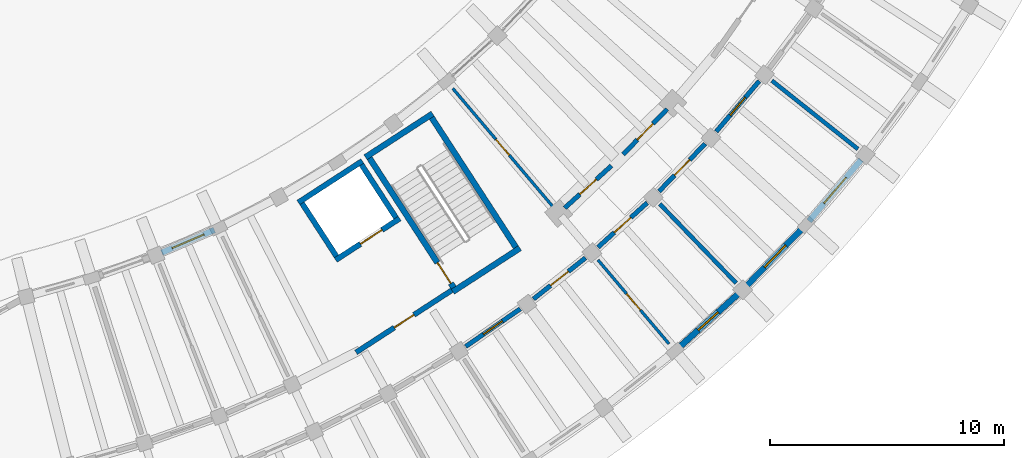
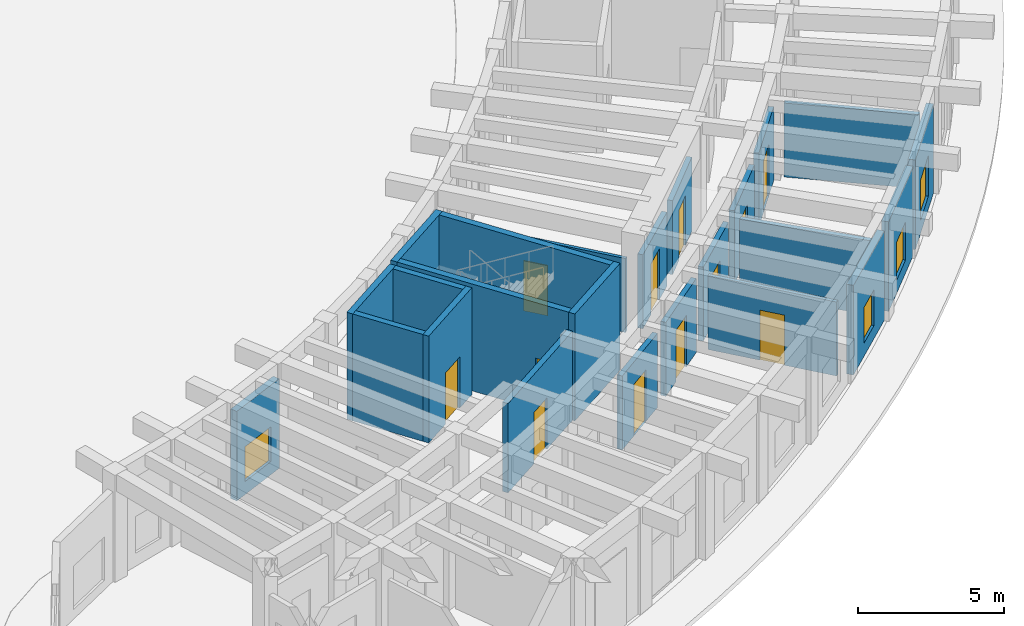
# One storey, part 102 of 132: 24 walls, 12 doors, 4 windows, 16 openings.
"""IFC4 building model written with IfcOpenShell, lengths in metres."""

from ifc_helpers import new_model, si_unit, direction, frame, frame_2d, origin, place, context, subcontext, project, spatial, rectangle, extrude, material, layer, layer_set, type_object, element, fill, save


model = new_model("IFC4")

# Units and contexts
model_context = context("Model", 3, precision=1e-05, world=origin(), true_north=direction((0.0, 1.0)))
body_context = subcontext(model_context, "Body", "Model", "MODEL_VIEW")
ifc_project = project(units=[si_unit("LENGTHUNIT", "METRE"), si_unit("AREAUNIT", "SQUARE_METRE"), si_unit("VOLUMEUNIT", "CUBIC_METRE"), si_unit("PLANEANGLEUNIT", "RADIAN"), si_unit("MASSUNIT", "GRAM", prefix="KILO")], contexts=[model_context])

# Site, building, storey
site_placement = place(None, origin())
site = spatial("IfcSite", under=ifc_project, at=site_placement, CompositionType="ELEMENT")
building_placement = place(site_placement, origin())
building = spatial("IfcBuilding", under=site, at=building_placement, Name="Tanwirah Colonnade Gardens", CompositionType="ELEMENT")
storey_placement = place(building_placement, origin())
storey = spatial("IfcBuildingStorey", under=building, at=storey_placement, Name="L00", CompositionType="ELEMENT", Elevation=0.0)

# Wall, opening, window
ifc_material_1 = material(Name="Limestone architectural precast concrete C40/50", Category="masonry")
ifc_layer_1 = layer(ifc_material_1, 0.260009765625)
ifc_layer_set_1 = layer_set([ifc_layer_1], Name="Limestone architectural precast concrete C40/50")
wall_type_1 = type_object("IfcWallType", Name="EW-PC260", PredefinedType="SOLIDWALL", material=ifc_layer_set_1)
wall_1_placement = place(storey_placement, frame((137.54345703125, 23.251953125, 0.0), z_axis=(0.0, 0.0, 1.0), x_axis=(0.917908073111, 0.396793106439, 0.0)))
wall_1 = element("IfcWall", 1, at=wall_1_placement, inside=storey, type_object=wall_type_1, Name="Block D L00 IN Precast Facade Wall 2", PredefinedType="SOLIDWALL", context=body_context, shape_type="SweptSolid", body=[
    extrude(rectangle(XDim=2.44873046875, YDim=0.260009765625, at=frame_2d((1.224365234375, 0.0))), origin(), (0.0, 0.0, 1.0), 3.7548828125),
])
opening_1_placement = place(wall_1_placement, frame((0.484375, 0.0, 0.550048828125)))
opening_1 = element("IfcOpeningElement", 2, at=opening_1_placement, cuts=wall_1, Name="Opening WIN-U09", PredefinedType="OPENING", context=body_context, shape_type="SweptSolid", body=[
    extrude(rectangle(XDim=1.47998046875, YDim=1.4599609375, at=frame_2d((0.739990234375, 0.72998046875))), frame((0.0, 0.139892578125, 0.0), z_axis=(0.0, -1.0, 0.0), x_axis=(1.0, 0.0, 0.0)), (0.0, 0.0, 1.0), 0.280029296875),
])
ifc_material_2 = material(Name="Thermally broken bronze aluminium and solar low-E double glazing", Category="aluminium")
window_type_1 = type_object("IfcWindowType", Name="WIN-U09", PartitioningType="DOUBLE_PANEL_VERTICAL", PredefinedType="WINDOW", material=ifc_material_2)
window_1_placement = place(opening_1_placement, origin())
window_1 = element("IfcWindow", 3, at=window_1_placement, inside=storey, type_object=window_type_1, Name="Facade window D-L00-IN-02", OverallHeight=1.4599609375, OverallWidth=1.47998046875, PartitioningType="SINGLE_PANEL", PredefinedType="WINDOW", context=body_context, shape_type="SweptSolid", body=[
    extrude(rectangle(XDim=1.47998046875, YDim=1.4599609375, at=frame_2d((0.739990234375, 0.72998046875))), frame((0.0, 0.030029296875, 0.0), z_axis=(0.0, -1.0, 0.0), x_axis=(1.0, 0.0, 0.0)), (0.0, 0.0, 1.0), 0.06005859375),
])
fill(opening_1, window_1)

wall_2_placement = place(storey_placement, frame((159.61376953125, 19.173583984375, 0.0), z_axis=(0.0, 0.0, 1.0), x_axis=(0.741699000924, 0.670732876806, 0.0)))
wall_2 = element("IfcWall", 4, at=wall_2_placement, inside=storey, type_object=wall_type_1, Name="Block D L00 OUT Precast Facade Wall 7", PredefinedType="SOLIDWALL", context=body_context, shape_type="SweptSolid", body=[
    extrude(rectangle(XDim=3.436767578125, YDim=0.260009765625, at=frame_2d((1.71826171875, 0.0))), origin(), (0.0, 0.0, 1.0), 3.7548828125),
])
opening_2_placement = place(wall_2_placement, frame((1.143310546875, 0.0, 0.550048828125)))
opening_2 = element("IfcOpeningElement", 5, at=opening_2_placement, cuts=wall_2, Name="Opening WIN-T01", PredefinedType="OPENING", context=body_context, shape_type="SweptSolid", body=[
    extrude(rectangle(XDim=1.14990234375, YDim=1.5, at=frame_2d((0.574951171875, 0.75))), frame((0.0, 0.139892578125, 0.0), z_axis=(0.0, -1.0, 0.0), x_axis=(1.0, 0.0, 0.0)), (0.0, 0.0, 1.0), 0.280029296875),
])
window_type_2 = type_object("IfcWindowType", Name="WIN-T01", PartitioningType="SINGLE_PANEL", PredefinedType="WINDOW", material=ifc_material_2)
window_2_placement = place(opening_2_placement, origin())
window_2 = element("IfcWindow", 6, at=window_2_placement, inside=storey, type_object=window_type_2, Name="Facade window D-L00-OUT-07", OverallHeight=1.5, OverallWidth=1.14990234375, PartitioningType="SINGLE_PANEL", PredefinedType="WINDOW", context=body_context, shape_type="SweptSolid", body=[
    extrude(rectangle(XDim=1.14990234375, YDim=1.5, at=frame_2d((0.574951171875, 0.75))), frame((0.0, 0.030029296875, 0.0), z_axis=(0.0, -1.0, 0.0), x_axis=(1.0, 0.0, 0.0)), (0.0, 0.0, 1.0), 0.06005859375),
])
fill(opening_2, window_2)

wall_3_placement = place(storey_placement, frame((162.558349609375, 21.86083984375, 0.0), z_axis=(0.0, 0.0, 1.0), x_axis=(0.696226819082, 0.717821855609, 0.0)))
wall_3 = element("IfcWall", 7, at=wall_3_placement, inside=storey, type_object=wall_type_1, Name="Block D L00 OUT Precast Facade Wall 8", PredefinedType="SOLIDWALL", context=body_context, shape_type="SweptSolid", body=[
    extrude(rectangle(XDim=3.436767578125, YDim=0.260009765625, at=frame_2d((1.71826171875, 0.0))), origin(), (0.0, 0.0, 1.0), 3.7548828125),
])
opening_3_placement = place(wall_3_placement, frame((1.068359375, 0.0, 0.550048828125)))
opening_3 = element("IfcOpeningElement", 8, at=opening_3_placement, cuts=wall_3, Name="Opening WIN-T04", PredefinedType="OPENING", context=body_context, shape_type="SweptSolid", body=[
    extrude(rectangle(XDim=1.300048828125, YDim=1.60009765625, at=frame_2d((0.64990234375, 0.800048828125))), frame((0.0, 0.139892578125, 0.0), z_axis=(0.0, -1.0, 0.0), x_axis=(1.0, 0.0, 0.0)), (0.0, 0.0, 1.0), 0.280029296875),
])
window_type_3 = type_object("IfcWindowType", Name="WIN-T04", PartitioningType="DOUBLE_PANEL_VERTICAL", PredefinedType="WINDOW", material=ifc_material_2)
window_3_placement = place(opening_3_placement, origin())
window_3 = element("IfcWindow", 9, at=window_3_placement, inside=storey, type_object=window_type_3, Name="Facade window D-L00-OUT-08", OverallHeight=1.60009765625, OverallWidth=1.300048828125, PartitioningType="SINGLE_PANEL", PredefinedType="WINDOW", context=body_context, shape_type="SweptSolid", body=[
    extrude(rectangle(XDim=1.300048828125, YDim=1.60009765625, at=frame_2d((0.64990234375, 0.800048828125))), frame((0.0, 0.030029296875, 0.0), z_axis=(0.0, -1.0, 0.0), x_axis=(1.0, 0.0, 0.0)), (0.0, 0.0, 1.0), 0.06005859375),
])
fill(opening_3, window_3)

wall_4_placement = place(storey_placement, frame((165.199951171875, 24.6015625, 0.0), z_axis=(0.0, 0.0, 1.0), x_axis=(0.6477968765, 0.7618131049, 0.0)))
wall_4 = element("IfcWall", 10, at=wall_4_placement, inside=storey, type_object=wall_type_1, Name="Block D L00 OUT Precast Facade Wall 9", PredefinedType="SOLIDWALL", context=body_context, shape_type="SweptSolid", body=[
    extrude(rectangle(XDim=3.436767578125, YDim=0.260009765625, at=frame_2d((1.71826171875, 0.0))), origin(), (0.0, 0.0, 1.0), 3.7548828125),
])
opening_4_placement = place(wall_4_placement, frame((0.993408203125, 0.0, 0.550048828125)))
opening_4 = element("IfcOpeningElement", 11, at=opening_4_placement, cuts=wall_4, Name="Opening WIN-T07", PredefinedType="OPENING", context=body_context, shape_type="SweptSolid", body=[
    extrude(rectangle(XDim=1.449951171875, YDim=1.699951171875, at=frame_2d((0.72509765625, 0.85009765625))), frame((0.0, 0.139892578125, 0.0), z_axis=(0.0, -1.0, 0.0), x_axis=(1.0, 0.0, 0.0)), (0.0, 0.0, 1.0), 0.280029296875),
])
window_type_4 = type_object("IfcWindowType", Name="WIN-T07", PartitioningType="DOUBLE_PANEL_VERTICAL", PredefinedType="WINDOW", material=ifc_material_2)
window_4_placement = place(opening_4_placement, origin())
window_4 = element("IfcWindow", 12, at=window_4_placement, inside=storey, type_object=window_type_4, Name="Facade window D-L00-OUT-09", OverallHeight=1.699951171875, OverallWidth=1.449951171875, PartitioningType="SINGLE_PANEL", PredefinedType="WINDOW", context=body_context, shape_type="SweptSolid", body=[
    extrude(rectangle(XDim=1.449951171875, YDim=1.699951171875, at=frame_2d((0.72509765625, 0.85009765625))), frame((0.0, 0.030029296875, 0.0), z_axis=(0.0, -1.0, 0.0), x_axis=(1.0, 0.0, 0.0)), (0.0, 0.0, 1.0), 0.06005859375),
])
fill(opening_4, window_4)

# Wall, opening, door
ifc_material_3 = material(Name="Precast concrete C40/50", Category="concrete")
ifc_layer_2 = layer(ifc_material_3, 0.195068359375)
ifc_layer_set_2 = layer_set([ifc_layer_2], Name="Precast concrete C40/50")
wall_type_2 = type_object("IfcWallType", Name="IW-CORR195", PredefinedType="PARTITIONING", material=ifc_layer_set_2)
wall_5_placement = place(storey_placement, frame((150.527587890625, 19.24072265625, 0.0), z_axis=(0.0, 0.0, 1.0), x_axis=(0.822870075235, 0.568229565653, 0.0)))
wall_5 = element("IfcWall", 13, at=wall_5_placement, inside=storey, type_object=wall_type_2, Name="Block D L00 OUT Corridor Wall 5", PredefinedType="PARTITIONING", context=body_context, shape_type="SweptSolid", body=[
    extrude(rectangle(XDim=2.8369140625, YDim=0.195068359375, at=frame_2d((1.41845703125, 0.0))), origin(), (0.0, 0.0, 1.0), 3.10009765625),
])
opening_5_placement = place(wall_5_placement, frame((0.923583984375, 0.0, 0.0)))
opening_5 = element("IfcOpeningElement", 14, at=opening_5_placement, cuts=wall_5, Name="Opening L00-AD1662", PredefinedType="OPENING", context=body_context, shape_type="SweptSolid", body=[
    extrude(rectangle(XDim=0.989990234375, YDim=2.159912109375, at=frame_2d((0.4951171875, 1.080078125))), frame((0.0, 0.107421875, 0.0), z_axis=(0.0, -1.0, 0.0), x_axis=(1.0, 0.0, 0.0)), (0.0, 0.0, 1.0), 0.215087890625),
])
ifc_material_4 = material(Name="Solid oak fire-resisting apartment entrance door")
door_type_1 = type_object("IfcDoorType", Name="ID-FLT099", OperationType="NOTDEFINED", PredefinedType="DOOR", material=ifc_material_4)
door_1_placement = place(opening_5_placement, origin())
door_1 = element("IfcDoor", 15, at=door_1_placement, inside=storey, type_object=door_type_1, Name="Apartment corridor door L00-AD1662", OperationType="SINGLE_SWING_RIGHT", OverallHeight=2.159912109375, OverallWidth=0.989990234375, PredefinedType="DOOR", context=body_context, shape_type="SweptSolid", body=[
    extrude(rectangle(XDim=0.989990234375, YDim=2.159912109375, at=frame_2d((0.4951171875, 1.080078125))), frame((0.0, 0.02490234375, 0.0), z_axis=(0.0, -1.0, 0.0), x_axis=(1.0, 0.0, 0.0)), (0.0, 0.0, 1.0), 0.050048828125),
])
fill(opening_5, door_1)

wall_6_placement = place(storey_placement, frame((153.424560546875, 21.268798828125, 0.0), z_axis=(0.0, 0.0, 1.0), x_axis=(0.783965548427, 0.620804332201, 0.0)))
wall_6 = element("IfcWall", 16, at=wall_6_placement, inside=storey, type_object=wall_type_2, Name="Block D L00 OUT Corridor Wall 6", PredefinedType="PARTITIONING", context=body_context, shape_type="SweptSolid", body=[
    extrude(rectangle(XDim=2.8369140625, YDim=0.195068359375, at=frame_2d((1.41845703125, 0.0))), origin(), (0.0, 0.0, 1.0), 3.10009765625),
])
opening_6_placement = place(wall_6_placement, frame((0.93359375, 0.0, 0.0)))
opening_6 = element("IfcOpeningElement", 17, at=opening_6_placement, cuts=wall_6, Name="Opening L00-AD1663", PredefinedType="OPENING", context=body_context, shape_type="SweptSolid", body=[
    extrude(rectangle(XDim=0.969970703125, YDim=2.14990234375, at=frame_2d((0.48486328125, 1.074951171875))), frame((0.0, 0.107421875, 0.0), z_axis=(0.0, -1.0, 0.0), x_axis=(1.0, 0.0, 0.0)), (0.0, 0.0, 1.0), 0.215087890625),
])
door_type_2 = type_object("IfcDoorType", Name="ID-FLT097", OperationType="NOTDEFINED", PredefinedType="DOOR", material=ifc_material_4)
door_2_placement = place(opening_6_placement, origin())
door_2 = element("IfcDoor", 18, at=door_2_placement, inside=storey, type_object=door_type_2, Name="Apartment corridor door L00-AD1663", OperationType="SINGLE_SWING_LEFT", OverallHeight=2.14990234375, OverallWidth=0.969970703125, PredefinedType="DOOR", context=body_context, shape_type="SweptSolid", body=[
    extrude(rectangle(XDim=0.969970703125, YDim=2.14990234375, at=frame_2d((0.48486328125, 1.074951171875))), frame((0.0, 0.02490234375, 0.0), z_axis=(0.0, -1.0, 0.0), x_axis=(1.0, 0.0, 0.0)), (0.0, 0.0, 1.0), 0.050048828125),
])
fill(opening_6, door_2)

wall_7_placement = place(storey_placement, frame((156.1826171875, 23.48193359375, 0.0), z_axis=(0.0, 0.0, 1.0), x_axis=(0.741631592147, 0.670807410163, 0.0)))
wall_7 = element("IfcWall", 19, at=wall_7_placement, inside=storey, type_object=wall_type_2, Name="Block D L00 OUT Corridor Wall 7", PredefinedType="PARTITIONING", context=body_context, shape_type="SweptSolid", body=[
    extrude(rectangle(XDim=2.8369140625, YDim=0.195068359375, at=frame_2d((1.41845703125, 0.0))), origin(), (0.0, 0.0, 1.0), 3.10009765625),
])
opening_7_placement = place(wall_7_placement, frame((0.943603515625, 0.0, 0.0)))
opening_7 = element("IfcOpeningElement", 20, at=opening_7_placement, cuts=wall_7, Name="Opening L00-AD1666", PredefinedType="OPENING", context=body_context, shape_type="SweptSolid", body=[
    extrude(rectangle(XDim=0.949951171875, YDim=2.1298828125, at=frame_2d((0.47509765625, 1.06494140625))), frame((0.0, 0.107421875, 0.0), z_axis=(0.0, -1.0, 0.0), x_axis=(1.0, 0.0, 0.0)), (0.0, 0.0, 1.0), 0.215087890625),
])
door_type_3 = type_object("IfcDoorType", Name="ID-FLT095", OperationType="NOTDEFINED", PredefinedType="DOOR", material=ifc_material_4)
door_3_placement = place(opening_7_placement, origin())
door_3 = element("IfcDoor", 21, at=door_3_placement, inside=storey, type_object=door_type_3, Name="Apartment corridor door L00-AD1666", OperationType="SINGLE_SWING_RIGHT", OverallHeight=2.1298828125, OverallWidth=0.949951171875, PredefinedType="DOOR", context=body_context, shape_type="SweptSolid", body=[
    extrude(rectangle(XDim=0.949951171875, YDim=2.1298828125, at=frame_2d((0.47509765625, 1.06494140625))), frame((0.0, 0.02490234375, 0.0), z_axis=(0.0, -1.0, 0.0), x_axis=(1.0, 0.0, 0.0)), (0.0, 0.0, 1.0), 0.050048828125),
])
fill(opening_7, door_3)

wall_8_placement = place(storey_placement, frame((154.76123046875, 25.1611328125, 0.0), z_axis=(0.0, 0.0, 1.0), x_axis=(0.74166462946, 0.670770882945, 0.0)))
wall_8 = element("IfcWall", 22, at=wall_8_placement, inside=storey, type_object=wall_type_2, Name="Block D L00 IN Corridor Wall 7", PredefinedType="PARTITIONING", context=body_context, shape_type="SweptSolid", body=[
    extrude(rectangle(XDim=2.693115234375, YDim=0.195068359375, at=frame_2d((1.3466796875, 0.0))), origin(), (0.0, 0.0, 1.0), 3.10009765625),
])
opening_8_placement = place(wall_8_placement, frame((0.87158203125, 0.0, 0.0)))
opening_8 = element("IfcOpeningElement", 23, at=opening_8_placement, cuts=wall_8, Name="Opening L00-AD1667", PredefinedType="OPENING", context=body_context, shape_type="SweptSolid", body=[
    extrude(rectangle(XDim=0.949951171875, YDim=2.1298828125, at=frame_2d((0.47509765625, 1.06494140625))), frame((0.0, 0.107421875, 0.0), z_axis=(0.0, -1.0, 0.0), x_axis=(1.0, 0.0, 0.0)), (0.0, 0.0, 1.0), 0.215087890625),
])
door_4_placement = place(opening_8_placement, origin())
door_4 = element("IfcDoor", 24, at=door_4_placement, inside=storey, type_object=door_type_3, Name="Apartment corridor door L00-AD1667", OperationType="SINGLE_SWING_LEFT", OverallHeight=2.1298828125, OverallWidth=0.949951171875, PredefinedType="DOOR", context=body_context, shape_type="SweptSolid", body=[
    extrude(rectangle(XDim=0.949951171875, YDim=2.1298828125, at=frame_2d((0.47509765625, 1.06494140625))), frame((0.0, 0.02490234375, 0.0), z_axis=(0.0, -1.0, 0.0), x_axis=(1.0, 0.0, 0.0)), (0.0, 0.0, 1.0), 0.050048828125),
])
fill(opening_8, door_4)

wall_9_placement = place(storey_placement, frame((158.7900390625, 25.870849609375, 0.0), z_axis=(0.0, 0.0, 1.0), x_axis=(0.696223786753, 0.717824796701, 0.0)))
wall_9 = element("IfcWall", 25, at=wall_9_placement, inside=storey, type_object=wall_type_2, Name="Block D L00 OUT Corridor Wall 8", PredefinedType="PARTITIONING", context=body_context, shape_type="SweptSolid", body=[
    extrude(rectangle(XDim=2.8369140625, YDim=0.195068359375, at=frame_2d((1.41845703125, 0.0))), origin(), (0.0, 0.0, 1.0), 3.10009765625),
])
opening_9_placement = place(wall_9_placement, frame((0.95361328125, 0.0, 0.0)))
opening_9 = element("IfcOpeningElement", 26, at=opening_9_placement, cuts=wall_9, Name="Opening L00-AD1668", PredefinedType="OPENING", context=body_context, shape_type="SweptSolid", body=[
    extrude(rectangle(XDim=0.929931640625, YDim=2.1201171875, at=frame_2d((0.46484375, 1.06005859375))), frame((0.0, 0.107421875, 0.0), z_axis=(0.0, -1.0, 0.0), x_axis=(1.0, 0.0, 0.0)), (0.0, 0.0, 1.0), 0.215087890625),
])
door_type_4 = type_object("IfcDoorType", Name="ID-FLT093", OperationType="NOTDEFINED", PredefinedType="DOOR", material=ifc_material_4)
door_5_placement = place(opening_9_placement, origin())
door_5 = element("IfcDoor", 27, at=door_5_placement, inside=storey, type_object=door_type_4, Name="Apartment corridor door L00-AD1668", OperationType="SINGLE_SWING_LEFT", OverallHeight=2.1201171875, OverallWidth=0.929931640625, PredefinedType="DOOR", context=body_context, shape_type="SweptSolid", body=[
    extrude(rectangle(XDim=0.929931640625, YDim=2.1201171875, at=frame_2d((0.46484375, 1.06005859375))), frame((0.0, 0.02490234375, 0.0), z_axis=(0.0, -1.0, 0.0), x_axis=(1.0, 0.0, 0.0)), (0.0, 0.0, 1.0), 0.050048828125),
])
fill(opening_9, door_5)

wall_10_placement = place(storey_placement, frame((157.26171875, 27.453369140625, 0.0), z_axis=(0.0, 0.0, 1.0), x_axis=(0.696236443412, 0.717812520694, 0.0)))
wall_10 = element("IfcWall", 28, at=wall_10_placement, inside=storey, type_object=wall_type_2, Name="Block D L00 IN Corridor Wall 8", PredefinedType="PARTITIONING", context=body_context, shape_type="SweptSolid", body=[
    extrude(rectangle(XDim=2.693115234375, YDim=0.195068359375, at=frame_2d((1.3466796875, 0.0))), origin(), (0.0, 0.0, 1.0), 3.10009765625),
])
opening_10_placement = place(wall_10_placement, frame((0.866455078125, 0.0, 0.0)))
opening_10 = element("IfcOpeningElement", 29, at=opening_10_placement, cuts=wall_10, Name="Opening L00-AD1669", PredefinedType="OPENING", context=body_context, shape_type="SweptSolid", body=[
    extrude(rectangle(XDim=0.9599609375, YDim=2.10009765625, at=frame_2d((0.47998046875, 1.050048828125))), frame((0.0, 0.107421875, 0.0), z_axis=(0.0, -1.0, 0.0), x_axis=(1.0, 0.0, 0.0)), (0.0, 0.0, 1.0), 0.215087890625),
])
ifc_material_5 = material(Name="Accessible toilet outward-opening door")
door_type_5 = type_object("IfcDoorType", Name="ID-AWC096", OperationType="NOTDEFINED", PredefinedType="DOOR", material=ifc_material_5)
door_6_placement = place(opening_10_placement, origin())
door_6 = element("IfcDoor", 30, at=door_6_placement, inside=storey, type_object=door_type_5, Name="Apartment corridor door L00-AD1669", OperationType="SINGLE_SWING_RIGHT", OverallHeight=2.10009765625, OverallWidth=0.9599609375, PredefinedType="DOOR", context=body_context, shape_type="SweptSolid", body=[
    extrude(rectangle(XDim=0.9599609375, YDim=2.10009765625, at=frame_2d((0.47998046875, 1.050048828125))), frame((0.0, 0.02490234375, 0.0), z_axis=(0.0, -1.0, 0.0), x_axis=(1.0, 0.0, 0.0)), (0.0, 0.0, 1.0), 0.050048828125),
])
fill(opening_10, door_6)

wall_11_placement = place(storey_placement, frame((161.235595703125, 28.42529296875, 0.0), z_axis=(0.0, 0.0, 1.0), x_axis=(0.64778830669, 0.761820392032, 0.0)))
wall_11 = element("IfcWall", 31, at=wall_11_placement, inside=storey, type_object=wall_type_2, Name="Block D L00 OUT Corridor Wall 9", PredefinedType="PARTITIONING", context=body_context, shape_type="SweptSolid", body=[
    extrude(rectangle(XDim=2.8369140625, YDim=0.195068359375, at=frame_2d((1.41845703125, 0.0))), origin(), (0.0, 0.0, 1.0), 3.10009765625),
])
opening_11_placement = place(wall_11_placement, frame((0.923583984375, 0.0, 0.0)))
opening_11 = element("IfcOpeningElement", 32, at=opening_11_placement, cuts=wall_11, Name="Opening L00-AD1670", PredefinedType="OPENING", context=body_context, shape_type="SweptSolid", body=[
    extrude(rectangle(XDim=0.989990234375, YDim=2.159912109375, at=frame_2d((0.4951171875, 1.080078125))), frame((0.0, 0.107421875, 0.0), z_axis=(0.0, -1.0, 0.0), x_axis=(1.0, 0.0, 0.0)), (0.0, 0.0, 1.0), 0.215087890625),
])
door_7_placement = place(opening_11_placement, origin())
door_7 = element("IfcDoor", 33, at=door_7_placement, inside=storey, type_object=door_type_1, Name="Apartment corridor door L00-AD1670", OperationType="SINGLE_SWING_RIGHT", OverallHeight=2.159912109375, OverallWidth=0.989990234375, PredefinedType="DOOR", context=body_context, shape_type="SweptSolid", body=[
    extrude(rectangle(XDim=0.989990234375, YDim=2.159912109375, at=frame_2d((0.4951171875, 1.080078125))), frame((0.0, 0.02490234375, 0.0), z_axis=(0.0, -1.0, 0.0), x_axis=(1.0, 0.0, 0.0)), (0.0, 0.0, 1.0), 0.050048828125),
])
fill(opening_11, door_7)

# Walls
ifc_layer_3 = layer(ifc_material_3, 0.175048828125)
ifc_layer_set_3 = layer_set([ifc_layer_3], Name="Precast concrete C40/50")
wall_type_3 = type_object("IfcWallType", Name="IW-DEM175", PredefinedType="PARTITIONING", material=ifc_layer_set_3)
for number, where, z_axis, x_axis, name in (
    (34, (158.82421875, 25.33203125, 0.0), (0.0, 0.0, 1.0), (0.69466218314, -0.719336118456, 0.0), "Block D L00 Radial Partition 7"),
    (35, (163.613037109375, 30.60400390625, 0.0), (0.0, 0.0, 1.0), (0.782609106384, -0.622513442911, 0.0), "Block D L00 Radial Partition 9"),
):
    element("IfcWall", number, at=place(storey_placement, frame(where, z_axis=z_axis, x_axis=x_axis)), inside=storey, type_object=wall_type_3, Name=name, PredefinedType="PARTITIONING", context=body_context, shape_type="SweptSolid", body=[
        extrude(rectangle(XDim=4.699951171875, YDim=0.175048828125, at=frame_2d((2.35009765625, 0.0))), origin(), (0.0, 0.0, 1.0), 3.10009765625),
    ])

# Wall, opening, door
ifc_material_6 = material(Name="Autoclaved aerated masonry blockwork", Category="masonry")
ifc_layer_4 = layer(ifc_material_6, 0.219970703125)
ifc_layer_set_4 = layer_set([ifc_layer_4], Name="Autoclaved aerated masonry blockwork")
wall_type_4 = type_object("IfcWallType", Name="IW-FFL220", PredefinedType="PARTITIONING", material=ifc_layer_set_4)
wall_12_placement = place(storey_placement, frame((149.95458984375, 21.658203125, 0.0), z_axis=(0.0, 0.0, 1.0), x_axis=(-0.838681446513, -0.544622283124, 0.0)))
wall_12 = element("IfcWall", 36, at=wall_12_placement, inside=storey, type_object=wall_type_4, Name="CORE-D1 L00 Enclosed Lobby Fire Wall", PredefinedType="PARTITIONING", context=body_context, shape_type="SweptSolid", body=[
    extrude(rectangle(XDim=4.900146484375, YDim=0.219970703125, at=frame_2d((2.4501953125, 0.0))), origin(), (0.0, 0.0, 1.0), 3.739990234375),
])
opening_12_placement = place(wall_12_placement, frame((1.949951171875, 0.0, 0.0)))
opening_12 = element("IfcOpeningElement", 37, at=opening_12_placement, cuts=wall_12, Name="Opening L00-LD180", PredefinedType="OPENING", context=body_context, shape_type="SweptSolid", body=[
    extrude(rectangle(XDim=1.0, YDim=2.14990234375, at=frame_2d((0.5, 1.074951171875))), frame((0.0, 0.119873046875, 0.0), z_axis=(0.0, -1.0, 0.0), x_axis=(1.0, 0.0, 0.0)), (0.0, 0.0, 1.0), 0.239990234375),
])
ifc_material_7 = material(Name="Acoustic fire-resisting lobby door")
door_type_6 = type_object("IfcDoorType", Name="ID-FFL100", OperationType="NOTDEFINED", PredefinedType="DOOR", material=ifc_material_7)
door_8_placement = place(opening_12_placement, origin())
door_8 = element("IfcDoor", 38, at=door_8_placement, inside=storey, type_object=door_type_6, Name="CORE-D1 L00 Lobby Fire Door L00-LD180", OperationType="SINGLE_SWING_LEFT", OverallHeight=2.14990234375, OverallWidth=1.0, PredefinedType="DOOR", context=body_context, shape_type="SweptSolid", body=[
    extrude(rectangle(XDim=1.0, YDim=2.14990234375, at=frame_2d((0.5, 1.074951171875))), frame((0.0, 0.02490234375, 0.0), z_axis=(0.0, -1.0, 0.0), x_axis=(1.0, 0.0, 0.0)), (0.0, 0.0, 1.0), 0.050048828125),
])
fill(opening_12, door_8)

ifc_material_8 = material(Name="Moisture-resistant gypsum stud partition")
ifc_layer_5 = layer(ifc_material_8, 0.125)
ifc_layer_set_5 = layer_set([ifc_layer_5], Name="Moisture-resistant gypsum stud partition")
wall_type_5 = type_object("IfcWallType", Name="IW-INT125", PredefinedType="PARTITIONING", material=ifc_layer_set_5)
wall_13_placement = place(storey_placement, frame((156.181396484375, 22.94189453125, 0.0), z_axis=(0.0, 0.0, 1.0), x_axis=(0.646137818229, -0.76322075434, 0.0)))
wall_13 = element("IfcWall", 39, at=wall_13_placement, inside=storey, type_object=wall_type_5, Name="Block D L00 Radial Partition 6", PredefinedType="PARTITIONING", context=body_context, shape_type="SweptSolid", body=[
    extrude(rectangle(XDim=4.699951171875, YDim=0.125, at=frame_2d((2.35009765625, 0.0))), origin(), (0.0, 0.0, 1.0), 3.10009765625),
])
opening_13_placement = place(wall_13_placement, frame((1.89501953125, 0.0, 0.0)))
opening_13 = element("IfcOpeningElement", 40, at=opening_13_placement, cuts=wall_13, Name="Opening L00-RD1664", PredefinedType="OPENING", context=body_context, shape_type="SweptSolid", body=[
    extrude(rectangle(XDim=0.909912109375, YDim=2.10009765625, at=frame_2d((0.455078125, 1.050048828125))), frame((0.0, 0.072509765625, 0.0), z_axis=(0.0, -1.0, 0.0), x_axis=(1.0, 0.0, 0.0)), (0.0, 0.0, 1.0), 0.14501953125),
])
ifc_material_9 = material(Name="Painted hardwood internal room door", Category="wood")
door_type_7 = type_object("IfcDoorType", Name="ID-RM091", OperationType="NOTDEFINED", PredefinedType="DOOR", material=ifc_material_9)
door_9_placement = place(opening_13_placement, origin())
door_9 = element("IfcDoor", 41, at=door_9_placement, inside=storey, type_object=door_type_7, Name="Internal apartment door L00-RD1664", OperationType="SINGLE_SWING_LEFT", OverallHeight=2.10009765625, OverallWidth=0.909912109375, PredefinedType="DOOR", context=body_context, shape_type="SweptSolid", body=[
    extrude(rectangle(XDim=0.909912109375, YDim=2.10009765625, at=frame_2d((0.455078125, 1.050048828125))), frame((0.0, 0.02490234375, 0.0), z_axis=(0.0, -1.0, 0.0), x_axis=(1.0, 0.0, 0.0)), (0.0, 0.0, 1.0), 0.050048828125),
])
fill(opening_13, door_9)

wall_14_placement = place(storey_placement, frame((149.978759765625, 30.26904296875, 0.0), z_axis=(0.0, 0.0, 1.0), x_axis=(0.646121311019, -0.763234728932, 0.0)))
wall_14 = element("IfcWall", 42, at=wall_14_placement, inside=storey, type_object=wall_type_5, Name="Block D L00 Inner Radial Partition 6", PredefinedType="PARTITIONING", context=body_context, shape_type="SweptSolid", body=[
    extrude(rectangle(XDim=6.60009765625, YDim=0.125, at=frame_2d((3.300048828125, 0.0))), origin(), (0.0, 0.0, 1.0), 3.10009765625),
])
opening_14_placement = place(wall_14_placement, frame((2.85498046875, 0.0, 0.0)))
opening_14 = element("IfcOpeningElement", 43, at=opening_14_placement, cuts=wall_14, Name="Opening L00-RD1665", PredefinedType="OPENING", context=body_context, shape_type="SweptSolid", body=[
    extrude(rectangle(XDim=0.889892578125, YDim=2.10009765625, at=frame_2d((0.44482421875, 1.050048828125))), frame((0.0, 0.072509765625, 0.0), z_axis=(0.0, -1.0, 0.0), x_axis=(1.0, 0.0, 0.0)), (0.0, 0.0, 1.0), 0.14501953125),
])
ifc_material_10 = material(Name="Painted hardwood bedroom door", Category="wood")
door_type_8 = type_object("IfcDoorType", Name="ID-RM089", OperationType="NOTDEFINED", PredefinedType="DOOR", material=ifc_material_10)
door_10_placement = place(opening_14_placement, origin())
door_10 = element("IfcDoor", 44, at=door_10_placement, inside=storey, type_object=door_type_8, Name="Internal apartment door L00-RD1665", OperationType="SINGLE_SWING_RIGHT", OverallHeight=2.10009765625, OverallWidth=0.889892578125, PredefinedType="DOOR", context=body_context, shape_type="SweptSolid", body=[
    extrude(rectangle(XDim=0.889892578125, YDim=2.10009765625, at=frame_2d((0.44482421875, 1.050048828125))), frame((0.0, 0.02490234375, 0.0), z_axis=(0.0, -1.0, 0.0), x_axis=(1.0, 0.0, 0.0)), (0.0, 0.0, 1.0), 0.050048828125),
])
fill(opening_14, door_10)

# Walls
ifc_material_11 = material(Name="Concrete C45/55", Category="concrete")
ifc_layer_6 = layer(ifc_material_11, 0.25)
ifc_layer_set_6 = layer_set([ifc_layer_6], Name="Concrete C45/55")
wall_type_6 = type_object("IfcWallType", Name="SW-CORE250", PredefinedType="SHEAR", material=ifc_layer_set_6)
wall_15_placement = place(storey_placement, frame((152.674072265625, 23.48388671875, 0.0), z_axis=(0.0, 0.0, 1.0), x_axis=(-0.544655453679, 0.838659905312, 0.0)))
element("IfcWall", 45, at=wall_15_placement, inside=storey, type_object=wall_type_6, Name="CORE-D1 L00 Stair Shaft Shear Wall LEFT", PredefinedType="SHEAR", context=body_context, shape_type="SweptSolid", body=[
    extrude(rectangle(XDim=6.60009765625, YDim=0.25, at=frame_2d((3.300048828125, 0.0))), origin(), (0.0, 0.0, 1.0), 4.47998046875),
])
wall_16_placement = place(storey_placement, frame((149.1162109375, 29.19189453125, 0.0), z_axis=(0.0, 0.0, 1.0), x_axis=(-0.838699580527, -0.544594356953, 0.0)))
element("IfcWall", 46, at=wall_16_placement, inside=storey, type_object=wall_type_6, Name="CORE-D1 L00 Stair Shaft Shear Wall FAR", PredefinedType="SHEAR", context=body_context, shape_type="SweptSolid", body=[
    extrude(rectangle(XDim=3.420166015625, YDim=0.25, at=frame_2d((1.7099609375, 0.0))), origin(), (0.0, 0.0, 1.0), 4.47998046875),
])
wall_17_placement = place(storey_placement, frame((152.846923828125, 23.447021484375, 0.0), z_axis=(0.0, 0.0, 1.0), x_axis=(-0.838645798734, -0.544677174357, 0.0)))
element("IfcWall", 47, at=wall_17_placement, inside=storey, type_object=wall_type_6, Name="CORE-D1 L00 Stair Shaft Shear Wall NEAR", PredefinedType="SHEAR", context=body_context, shape_type="SweptSolid", body=[
    extrude(rectangle(XDim=3.419921875, YDim=0.25, at=frame_2d((1.7099609375, 0.0))), origin(), (0.0, 0.0, 1.0), 4.47998046875),
])

# Wall, opening, door
wall_18_placement = place(storey_placement, frame((150.015380859375, 21.75732421875, 0.0), z_axis=(0.0, 0.0, 1.0), x_axis=(-0.544629435258, 0.838676802022, 0.0)))
wall_18 = element("IfcWall", 48, at=wall_18_placement, inside=storey, type_object=wall_type_6, Name="CORE-D1 L00 Stair Shaft Shear Wall RIGHT", PredefinedType="SHEAR", context=body_context, shape_type="SweptSolid", body=[
    extrude(rectangle(XDim=6.599853515625, YDim=0.25, at=frame_2d((3.2998046875, 0.0))), origin(), (0.0, 0.0, 1.0), 4.47998046875),
])
opening_15_placement = place(wall_18_placement, frame((0.219970703125, 0.0, 0.0)))
opening_15 = element("IfcOpeningElement", 49, at=opening_15_placement, cuts=wall_18, Name="Opening L00-SD170", PredefinedType="OPENING", context=body_context, shape_type="SweptSolid", body=[
    extrude(rectangle(XDim=1.050048828125, YDim=2.14990234375, at=frame_2d((0.52490234375, 1.074951171875))), frame((0.0, 0.135009765625, 0.0), z_axis=(0.0, -1.0, 0.0), x_axis=(1.0, 0.0, 0.0)), (0.0, 0.0, 1.0), 0.27001953125),
])
ifc_material_12 = material(Name="Steel fire-resisting stair enclosure door", Category="steel")
door_type_9 = type_object("IfcDoorType", Name="ID-ST105", OperationType="NOTDEFINED", PredefinedType="DOOR", material=ifc_material_12)
door_11_placement = place(opening_15_placement, origin())
door_11 = element("IfcDoor", 50, at=door_11_placement, inside=storey, type_object=door_type_9, Name="CORE-D1 L00 Stair Fire Door L00-SD170", OperationType="SINGLE_SWING_LEFT", OverallHeight=2.14990234375, OverallWidth=1.050048828125, PredefinedType="DOOR", context=body_context, shape_type="SweptSolid", body=[
    extrude(rectangle(XDim=1.050048828125, YDim=2.14990234375, at=frame_2d((0.52490234375, 1.074951171875))), frame((0.0, 0.02490234375, 0.0), z_axis=(0.0, -1.0, 0.0), x_axis=(1.0, 0.0, 0.0)), (0.0, 0.0, 1.0), 0.050048828125),
])
fill(opening_15, door_11)

ifc_layer_7 = layer(ifc_material_11, 0.22998046875)
ifc_layer_set_7 = layer_set([ifc_layer_7], Name="Concrete C45/55")
wall_type_7 = type_object("IfcWallType", Name="SW-LIFT230", PredefinedType="SHEAR", material=ifc_layer_set_7)
wall_19_placement = place(storey_placement, frame((147.70849609375, 24.712646484375, 0.0), z_axis=(0.0, 0.0, 1.0), x_axis=(-0.838672833615, -0.544635546173, 0.0)))
wall_19 = element("IfcWall", 51, at=wall_19_placement, inside=storey, type_object=wall_type_7, Name="CORE-D1 L00 Lift Shaft Wall FRONT", PredefinedType="SHEAR", context=body_context, shape_type="SweptSolid", body=[
    extrude(rectangle(XDim=3.259765625, YDim=0.22998046875, at=frame_2d((1.6298828125, 0.0))), origin(), (0.0, 0.0, 1.0), 4.47998046875),
])
opening_16_placement = place(wall_19_placement, frame((0.89990234375, 0.0, 0.0)))
opening_16 = element("IfcOpeningElement", 52, at=opening_16_placement, cuts=wall_19, Name="Opening L00-LD-FL-D1", PredefinedType="OPENING", context=body_context, shape_type="SweptSolid", body=[
    extrude(rectangle(XDim=1.10009765625, YDim=2.14990234375, at=frame_2d((0.550048828125, 1.074951171875))), frame((0.0, 0.125, 0.0), z_axis=(0.0, -1.0, 0.0), x_axis=(1.0, 0.0, 0.0)), (0.0, 0.0, 1.0), 0.25),
])
ifc_material_13 = material(Name="Stainless steel sliding fire lift landing door", Category="steel")
door_type_10 = type_object("IfcDoorType", Name="LD-FF11", OperationType="DOUBLE_DOOR_SLIDING", PredefinedType="DOOR", material=ifc_material_13)
door_12_placement = place(opening_16_placement, origin())
door_12 = element("IfcDoor", 53, at=door_12_placement, inside=storey, type_object=door_type_10, Name="Lift FL-D1 L00 Sliding Landing Door", OperationType="DOUBLE_DOOR_SLIDING", OverallHeight=2.14990234375, OverallWidth=1.10009765625, PredefinedType="DOOR", context=body_context, shape_type="SweptSolid", body=[
    extrude(rectangle(XDim=1.10009765625, YDim=2.14990234375, at=frame_2d((0.550048828125, 1.074951171875))), frame((0.0, 0.02490234375, 0.0), z_axis=(0.0, -1.0, 0.0), x_axis=(1.0, 0.0, 0.0)), (0.0, 0.0, 1.0), 0.050048828125),
])
fill(opening_16, door_12)

# Walls
wall_20_placement = place(storey_placement, frame((146.11279296875, 27.169921875, 0.0), z_axis=(0.0, 0.0, 1.0), x_axis=(-0.838695047431, -0.544601338058, 0.0)))
element("IfcWall", 54, at=wall_20_placement, inside=storey, type_object=wall_type_7, Name="CORE-D1 L00 Lift Shaft Wall BACK", PredefinedType="SHEAR", context=body_context, shape_type="SweptSolid", body=[
    extrude(rectangle(XDim=3.260009765625, YDim=0.22998046875, at=frame_2d((1.6298828125, 0.0))), origin(), (0.0, 0.0, 1.0), 4.47998046875),
])
for number, where, z_axis, x_axis, name in (
    (55, (147.549560546875, 24.74658203125, 0.0), (0.0, 0.0, 1.0), (-0.544622789439, 0.838681117722, 0.0), "CORE-D1 L00 Lift Shaft Wall SIDEA"),
    (56, (145.00830078125, 23.09619140625, 0.0), (0.0, 0.0, 1.0), (-0.544622789439, 0.838681117722, 0.0), "CORE-D1 L00 Lift Shaft Wall SIDEB"),
):
    element("IfcWall", number, at=place(storey_placement, frame(where, z_axis=z_axis, x_axis=x_axis)), inside=storey, type_object=wall_type_7, Name=name, PredefinedType="SHEAR", context=body_context, shape_type="SweptSolid", body=[
        extrude(rectangle(XDim=2.699951171875, YDim=0.22998046875, at=frame_2d((1.35009765625, 0.0))), origin(), (0.0, 0.0, 1.0), 4.47998046875),
    ])

save(model, "model.ifc")
